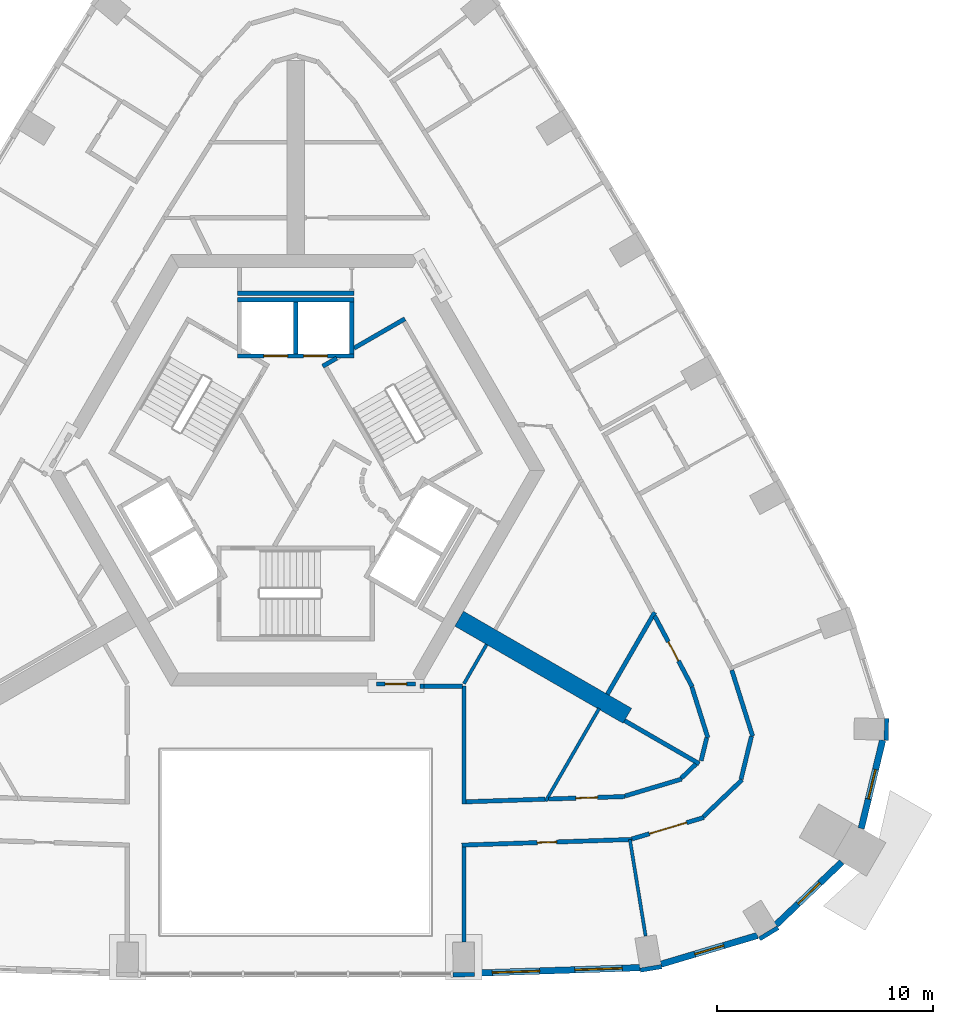
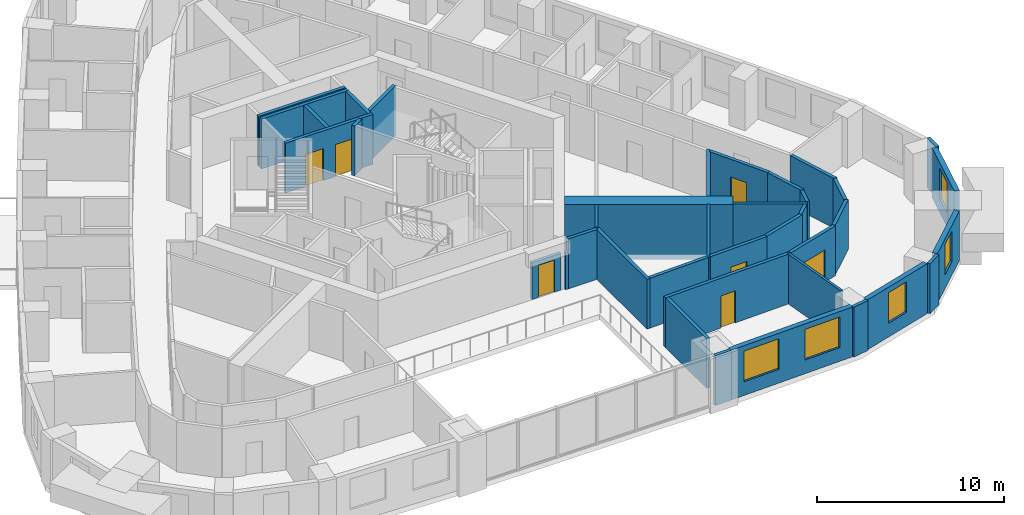
# One storey, part 6 of 13: 38 walls, 7 doors, 5 windows, 12 openings.
"""IFC4 building model written with IfcOpenShell, lengths in metres."""

import ifcopenshell
import ifcopenshell.guid

model = None  # the IFC model being written
_history = None  # IfcOwnerHistory: only IFC2X3 demands one
_inside = {}  # id of a spatial element -> (the spatial element, [elements in it])
_under = {}  # id of a project, library or spatial element -> (it, [spatial elements below it])
_declared = {}  # id of a project -> (the project, [libraries it declares])
_typed = {}  # id of a type object -> (the type object, [elements of that type])
_made_of = {}  # id of a material, layer set ... -> (it, [elements and type objects made of it])


def new_model(schema):
    """Start an empty IFC model of exactly this schema.

    Asked for "IFC4X3", IfcOpenShell would pick the latest addendum, in which some entities
    have other attributes; the version numbers below select the first issue.
    IFC2X3 requires an IfcOwnerHistory on every rooted entity: one is made here for all.
    """
    global model, _history
    if schema == "IFC4X3":
        model = ifcopenshell.file(schema_version=(4, 3, 0, 0))
    else:
        model = ifcopenshell.file(schema=schema)
    _inside.clear()
    _under.clear()
    _declared.clear()
    _typed.clear()
    _made_of.clear()
    _history = None
    if model.schema == "IFC2X3":
        org = make("IfcOrganization", Name="unknown")
        user = make(
            "IfcPersonAndOrganization",
            ThePerson=make("IfcPerson", FamilyName="unknown"),
            TheOrganization=org,
        )
        app = make(
            "IfcApplication",
            ApplicationDeveloper=org,
            Version="unknown",
            ApplicationFullName="unknown",
            ApplicationIdentifier="unknown",
        )
        _history = make(
            "IfcOwnerHistory",
            OwningUser=user,
            OwningApplication=app,
            ChangeAction="ADDED",
            CreationDate=0,
        )
    return model


def make(cls, **values):
    """One entity of the class cls with the attributes given. An attribute that is None is left unset."""
    return model.create_entity(
        cls, **{name: value for name, value in values.items() if value is not None}
    )


def rooted(cls, **values):
    """An entity with a GlobalId (a new one), such as an element, a storey or a relation."""
    return make(cls, GlobalId=ifcopenshell.guid.new(), OwnerHistory=_history, **values)


def si_unit(unit_type, name, prefix=None):
    """IfcSIUnit, for example si_unit("LENGTHUNIT", "METRE", prefix="MILLI")."""
    return make("IfcSIUnit", UnitType=unit_type, Prefix=prefix, Name=name)


def assignment(units):
    """IfcUnitAssignment: the units of a project."""
    return None if units is None else make("IfcUnitAssignment", Units=units)


def point(xyz):
    """IfcCartesianPoint."""
    return None if xyz is None else make("IfcCartesianPoint", Coordinates=xyz)


def direction(xyz):
    """IfcDirection."""
    return None if xyz is None else make("IfcDirection", DirectionRatios=xyz)


def frame(location, z_axis=None, x_axis=None):
    """IfcAxis2Placement3D, a coordinate frame: its origin and axes. An axis left out is left unset."""
    return make(
        "IfcAxis2Placement3D",
        Location=point(location),
        Axis=direction(z_axis),
        RefDirection=direction(x_axis),
    )


def frame_2d(location, x_axis=None):
    """IfcAxis2Placement2D, a coordinate frame in the plane: its origin and x axis."""
    return make(
        "IfcAxis2Placement2D", Location=point(location), RefDirection=direction(x_axis)
    )


def origin():
    """The frame at (0, 0, 0) with its axes left unset."""
    return frame((0.0, 0.0, 0.0))


def place(relative_to, where):
    """IfcLocalPlacement: puts the frame where relative to a parent placement (None: the world)."""
    return make(
        "IfcLocalPlacement", PlacementRelTo=relative_to, RelativePlacement=where
    )


def context(
    kind, dimensions, precision=None, world=None, true_north=None, identifier=None
):
    """IfcGeometricRepresentationContext, for example the 3D "Model" context."""
    return make(
        "IfcGeometricRepresentationContext",
        ContextIdentifier=identifier,
        ContextType=kind,
        CoordinateSpaceDimension=dimensions,
        Precision=precision,
        WorldCoordinateSystem=world,
        TrueNorth=true_north,
    )


def subcontext(parent, identifier, kind, view, scale=None):
    """IfcGeometricRepresentationSubContext, for example "Body" below "Model"."""
    return make(
        "IfcGeometricRepresentationSubContext",
        ContextIdentifier=identifier,
        ContextType=kind,
        ParentContext=parent,
        TargetScale=scale,
        TargetView=view,
    )


def project(units=None, contexts=None):
    """IfcProject with its units and contexts."""
    return rooted(
        "IfcProject",
        Name="project",
        RepresentationContexts=contexts,
        UnitsInContext=assignment(units),
    )


def spatial(cls, under=None, at=None, **own):
    """A site, building, storey or space (cls), placed at a placement, below another one or the project."""
    s = rooted(cls, ObjectPlacement=at, **own)
    if under is not None:
        _under.setdefault(under.id(), (under, []))[1].append(s)
    return s


def profile(cls, at=None, kind="AREA", **sizes):
    """A parametric profile (cls). Its sizes go by their IFC names, for example OverallWidth=200.0."""
    return make(cls, ProfileType=kind, Position=at, **sizes)


def rectangle(**sizes):
    """IfcRectangleProfileDef."""
    return profile("IfcRectangleProfileDef", **sizes)


def extrude(swept, where, along, depth):
    """IfcExtrudedAreaSolid: the profile swept, set in the frame where, extruded along a direction by depth."""
    return make(
        "IfcExtrudedAreaSolid",
        SweptArea=swept,
        Position=where,
        ExtrudedDirection=direction(along),
        Depth=depth,
    )


def shape(context_of_items, identifier, shape_type, items):
    """IfcShapeRepresentation: the items that make up one representation, for example the "Body"."""
    return make(
        "IfcShapeRepresentation",
        ContextOfItems=context_of_items,
        RepresentationIdentifier=identifier,
        RepresentationType=shape_type,
        Items=items,
    )


def material(Name=None, Category=None):
    """IfcMaterial."""
    return make("IfcMaterial", Name=Name, Category=Category)


def layer(
    of_material, thickness, ventilated=None, Name=None, Category=None, Priority=None
):
    """IfcMaterialLayer: one layer of a wall or slab, of a material (None: an air gap)."""
    return make(
        "IfcMaterialLayer",
        Material=of_material,
        LayerThickness=thickness,
        IsVentilated=ventilated,
        Name=Name,
        Category=Category,
        Priority=Priority,
    )


def layer_set(layers, Name=None):
    """IfcMaterialLayerSet."""
    return make("IfcMaterialLayerSet", MaterialLayers=layers, LayerSetName=Name)


def made_of(thing, what):
    """Note that an element or type object is made of a material, layer set ...; save() writes the relation."""
    if what is not None:
        _made_of.setdefault(what.id(), (what, []))[1].append(thing)
    return thing


def type_object(cls, material=None, **own):
    """A type object (cls), such as IfcWallType, which elements share."""
    return made_of(rooted(cls, **own), material)


def element(
    cls,
    number,
    at=None,
    inside=None,
    cuts=None,
    type_object=None,
    material=None,
    context=None,
    identifier="Body",
    shape_type=None,
    held_by="IfcProductDefinitionShape",
    body=None,
    shapes=None,
    **own,
):
    """One element of the class cls, such as IfcWall. Its Tag is "e" and its number.

    at: its placement. inside: the storey or other place that contains it. cuts: it is an
    opening in that element (IfcRelVoidsElement). A single representation is given by context,
    identifier, shape_type and body (its items); several are given by shapes. held_by: the class
    of the entity that holds the representations. save() writes the other relations.
    """
    e = rooted(cls, Tag="e%d" % number, ObjectPlacement=at, **own)
    if body is not None:
        shapes = [shape(context, identifier, shape_type, body)]
    if shapes is not None:
        e.Representation = make(held_by, Representations=shapes)
    if inside is not None:
        _inside.setdefault(inside.id(), (inside, []))[1].append(e)
    if cuts is not None:
        rooted(
            "IfcRelVoidsElement", RelatingBuildingElement=cuts, RelatedOpeningElement=e
        )
    if type_object is not None:
        _typed.setdefault(type_object.id(), (type_object, []))[1].append(e)
    return made_of(e, material)


def fill(opening, filler):
    """IfcRelFillsElement: the door or window that sits in an opening."""
    return rooted(
        "IfcRelFillsElement",
        RelatingOpeningElement=opening,
        RelatedBuildingElement=filler,
    )


def aggregate(whole, parts):
    """IfcRelAggregates: a whole, such as a stair, and the parts it consists of."""
    return rooted("IfcRelAggregates", RelatingObject=whole, RelatedObjects=parts)


def save(model, path):
    """Write the relations noted so far, then the file.

    IfcRelAggregates (storeys below a building ...), IfcRelContainedInSpatialStructure (elements
    in a storey), IfcRelDefinesByType, IfcRelAssociatesMaterial and IfcRelDeclares: one each for
    every whole, place, type object, material and project.
    """
    for whole, parts in _under.values():
        aggregate(whole, parts)
    for where, things in _inside.values():
        rooted(
            "IfcRelContainedInSpatialStructure",
            RelatedElements=things,
            RelatingStructure=where,
        )
    for kind, things in _typed.values():
        rooted("IfcRelDefinesByType", RelatedObjects=things, RelatingType=kind)
    for what, things in _made_of.values():
        rooted("IfcRelAssociatesMaterial", RelatedObjects=things, RelatingMaterial=what)
    for by, libraries in _declared.values():
        rooted("IfcRelDeclares", RelatingContext=by, RelatedDefinitions=libraries)
    model.write(path)


model = new_model("IFC4")

# Units and contexts
model_context = context("Model", 3, precision=1e-05, world=origin(), true_north=direction((0.0, 1.0)))
body_context = subcontext(model_context, "Body", "Model", "MODEL_VIEW")
ifc_project = project(units=[si_unit("LENGTHUNIT", "METRE"), si_unit("AREAUNIT", "SQUARE_METRE"), si_unit("VOLUMEUNIT", "CUBIC_METRE"), si_unit("PLANEANGLEUNIT", "RADIAN"), si_unit("MASSUNIT", "GRAM", prefix="KILO")], contexts=[model_context])

# Site, building, storey
site_placement = place(None, origin())
site = spatial("IfcSite", under=ifc_project, at=site_placement, CompositionType="ELEMENT")
building_placement = place(site_placement, origin())
building = spatial("IfcBuilding", under=site, at=building_placement, Name="Entoto Arch Interchange Tower", CompositionType="ELEMENT")
storey_placement = place(building_placement, frame((0.0, 0.0, 270.199951171875)))
storey = spatial("IfcBuildingStorey", under=building, at=storey_placement, Name="L62", CompositionType="ELEMENT", Elevation=270.199951171875)

# Wall
ifc_material_1 = material(Name="Concrete C40/50", Category="concrete")
ifc_layer_1 = layer(ifc_material_1, 0.800048828125)
ifc_layer_set_1 = layer_set([ifc_layer_1], Name="Concrete C40/50")
wall_type_1 = type_object("IfcWallType", Name="Buttress wall 800 C40/50", PredefinedType="SHEAR", material=ifc_layer_set_1)
wall_1_placement = place(storey_placement, frame((7.577880859375, -4.375, -0.33984375), z_axis=(0.0, 0.0, 1.0), x_axis=(0.866024315419, -0.5000018851, 0.0)))
element("IfcWall", 1, at=wall_1_placement, inside=storey, type_object=wall_type_1, Name="Buttress wall SE L62", PredefinedType="SHEAR", context=body_context, shape_type="SweptSolid", body=[
    extrude(rectangle(XDim=9.0, YDim=0.800048828125, at=frame_2d((4.5, 0.0))), origin(), (0.0, 0.0, 1.0), 3.599853515625),
])

# Wall, opening, door
ifc_material_2 = material(Name="Reinforced concrete C40/50", Category="concrete")
ifc_layer_2 = layer(ifc_material_2, 0.199951171875)
ifc_layer_set_2 = layer_set([ifc_layer_2], Name="Reinforced concrete C40/50")
wall_type_2 = type_object("IfcWallType", Name="CORE GAP INFILL WALL", PredefinedType="PARTITIONING", material=ifc_layer_set_2)
wall_2_placement = place(storey_placement, frame((3.75, -7.39990234375, 0.0), z_axis=(0.0, 0.0, 1.0), x_axis=(1.0, 0.0, 0.0)))
wall_2 = element("IfcWall", 2, at=wall_2_placement, inside=storey, type_object=wall_type_2, Name="wall:L62:gap1", PredefinedType="PARTITIONING", context=body_context, shape_type="SweptSolid", body=[
    extrude(rectangle(XDim=1.7939453125, YDim=0.199951171875, at=frame_2d((0.89697265625, 0.0))), origin(), (0.0, 0.0, 1.0), 2.400146484375),
])
opening_1_placement = place(wall_2_placement, frame((0.39697265625, 0.0, 0.0)))
opening_1 = element("IfcOpeningElement", 3, at=opening_1_placement, cuts=wall_2, Name="Opening L62-D91", PredefinedType="OPENING", context=body_context, shape_type="SweptSolid", body=[
    extrude(rectangle(XDim=1.0, YDim=2.10009765625, at=frame_2d((0.5, 1.050048828125))), frame((0.0, 0.10986328125, 0.0), z_axis=(0.0, -1.0, 0.0), x_axis=(1.0, 0.0, 0.0)), (0.0, 0.0, 1.0), 0.219970703125),
])
ifc_material_3 = material(Name="Fire-rated Steel S235 door and frame", Category="steel")
door_type_1 = type_object("IfcDoorType", Name="DOOR FD-10 1000x2100", OperationType="SINGLE_SWING_LEFT", PredefinedType="DOOR", material=ifc_material_3)
door_1_placement = place(opening_1_placement, origin())
door_1 = element("IfcDoor", 4, at=door_1_placement, inside=storey, type_object=door_type_1, Name="door:L62:gap1", OperationType="SINGLE_SWING_LEFT", OverallHeight=2.10009765625, OverallWidth=1.0, PredefinedType="DOOR", context=body_context, shape_type="SweptSolid", body=[
    extrude(rectangle(XDim=1.0, YDim=2.10009765625, at=frame_2d((0.5, 1.050048828125))), frame((0.0, 0.02490234375, 0.0), z_axis=(0.0, -1.0, 0.0), x_axis=(1.0, 0.0, 0.0)), (0.0, 0.0, 1.0), 0.050048828125),
])
fill(opening_1, door_1)

# Wall, openings, doors
ifc_layer_3 = layer(ifc_material_1, 0.199951171875)
ifc_layer_set_3 = layer_set([ifc_layer_3], Name="Concrete C40/50")
wall_type_3 = type_object("IfcWallType", Name="LIFT SHAFT WALL 200", PredefinedType="STANDARD", material=ifc_layer_set_3)
wall_3_placement = place(storey_placement, frame((2.699951171875, 7.800048828125, 0.0), z_axis=(0.0, 0.0, 1.0), x_axis=(-1.0, 0.0, 0.0)))
wall_3 = element("IfcWall", 5, at=wall_3_placement, inside=storey, type_object=wall_type_3, Name="Shaft wall N1 front", PredefinedType="STANDARD", context=body_context, shape_type="SweptSolid", body=[
    extrude(rectangle(XDim=5.39990234375, YDim=0.199951171875, at=frame_2d((2.699951171875, 0.0))), origin(), (0.0, 0.0, 1.0), 3.260009765625),
])
opening_2_placement = place(wall_3_placement, frame((1.22509765625, 0.0, 0.0)))
opening_2 = element("IfcOpeningElement", 6, at=opening_2_placement, cuts=wall_3, Name="Opening LD-HR1-L62", PredefinedType="OPENING", context=body_context, shape_type="SweptSolid", body=[
    extrude(rectangle(XDim=1.10009765625, YDim=2.10009765625, at=frame_2d((0.550048828125, 1.050048828125))), frame((0.0, 0.10986328125, 0.0), z_axis=(0.0, -1.0, 0.0), x_axis=(1.0, 0.0, 0.0)), (0.0, 0.0, 1.0), 0.219970703125),
])
opening_3_placement = place(wall_3_placement, frame((3.074951171875, 0.0, 0.0)))
opening_3 = element("IfcOpeningElement", 7, at=opening_3_placement, cuts=wall_3, Name="Opening LD-HR2-L62", PredefinedType="OPENING", context=body_context, shape_type="SweptSolid", body=[
    extrude(rectangle(XDim=1.10009765625, YDim=2.10009765625, at=frame_2d((0.550048828125, 1.050048828125))), frame((0.0, 0.10986328125, 0.0), z_axis=(0.0, -1.0, 0.0), x_axis=(1.0, 0.0, 0.0)), (0.0, 0.0, 1.0), 0.219970703125),
])
ifc_material_4 = material(Name="Stainless steel 1.4301 panels", Category="steel")
door_type_2 = type_object("IfcDoorType", Name="LIFT LANDING DOOR LD1 1100x2100", OperationType="SLIDING_TO_LEFT", PredefinedType="DOOR", material=ifc_material_4)
door_2_placement = place(opening_2_placement, origin())
door_2 = element("IfcDoor", 8, at=door_2_placement, inside=storey, type_object=door_type_2, Name="Lift landing door HR1 L62", OperationType="SLIDING_TO_LEFT", OverallHeight=2.10009765625, OverallWidth=1.10009765625, PredefinedType="DOOR", context=body_context, shape_type="SweptSolid", body=[
    extrude(rectangle(XDim=1.10009765625, YDim=2.10009765625, at=frame_2d((0.550048828125, 1.050048828125))), frame((0.0, 0.02490234375, 0.0), z_axis=(0.0, -1.0, 0.0), x_axis=(1.0, 0.0, 0.0)), (0.0, 0.0, 1.0), 0.050048828125),
])
fill(opening_2, door_2)
door_3_placement = place(opening_3_placement, origin())
door_3 = element("IfcDoor", 9, at=door_3_placement, inside=storey, type_object=door_type_2, Name="Lift landing door HR2 L62", OperationType="SLIDING_TO_LEFT", OverallHeight=2.10009765625, OverallWidth=1.10009765625, PredefinedType="DOOR", context=body_context, shape_type="SweptSolid", body=[
    extrude(rectangle(XDim=1.10009765625, YDim=2.10009765625, at=frame_2d((0.550048828125, 1.050048828125))), frame((0.0, 0.02490234375, 0.0), z_axis=(0.0, -1.0, 0.0), x_axis=(1.0, 0.0, 0.0)), (0.0, 0.0, 1.0), 0.050048828125),
])
fill(opening_3, door_3)

# Walls
wall_4_placement = place(storey_placement, frame((2.699951171875, 10.39990234375, 0.0), z_axis=(0.0, 0.0, 1.0), x_axis=(-1.0, 0.0, 0.0)))
element("IfcWall", 10, at=wall_4_placement, inside=storey, type_object=wall_type_3, Name="Shaft wall N1 back", PredefinedType="STANDARD", context=body_context, shape_type="SweptSolid", body=[
    extrude(rectangle(XDim=5.39990234375, YDim=0.199951171875, at=frame_2d((2.699951171875, 0.0))), origin(), (0.0, 0.0, 1.0), 3.260009765625),
])
for number, where, z_axis, x_axis, name in (
    (11, (2.60009765625, 7.89990234375, 0.0), (0.0, 0.0, 1.0), (0.0, 1.0, 0.0), "Shaft wall N1 cross 1"),
    (12, (0.0, 7.89990234375, 0.0), (0.0, 0.0, 1.0), (0.0, 1.0, 0.0), "Shaft wall N1 cross 2"),
):
    element("IfcWall", number, at=place(storey_placement, frame(where, z_axis=z_axis, x_axis=x_axis)), inside=storey, type_object=wall_type_3, Name=name, PredefinedType="STANDARD", context=body_context, shape_type="SweptSolid", body=[
        extrude(rectangle(XDim=2.400146484375, YDim=0.199951171875, at=frame_2d((1.2001953125, 0.0))), origin(), (0.0, 0.0, 1.0), 3.260009765625),
    ])
ifc_material_5 = material(Name="Gypsum board partition on steel studs", Category="steel")
ifc_layer_4 = layer(ifc_material_5, 0.14990234375)
ifc_layer_set_4 = layer_set([ifc_layer_4], Name="Gypsum board partition on steel studs")
wall_type_4 = type_object("IfcWallType", Name="PARTITION 150", PredefinedType="PARTITIONING", material=ifc_layer_set_4)
wall_5_placement = place(storey_placement, frame((7.800048828125, -7.389892578125, 0.0), z_axis=(0.0, 0.0, 1.0), x_axis=(0.499977374825, 0.866038466041, 0.0)))
element("IfcWall", 13, at=wall_5_placement, inside=storey, type_object=wall_type_4, Name="wall:L62:p085", PredefinedType="PARTITIONING", context=body_context, shape_type="SweptSolid", body=[
    extrude(rectangle(XDim=2.10009765625, YDim=0.14990234375, at=frame_2d((1.050048828125, 0.0))), origin(), (0.0, 0.0, 1.0), 3.260009765625),
])
wall_6_placement = place(storey_placement, frame((14.06689453125, -8.535888671875, 0.0), z_axis=(0.0, 0.0, 1.0), x_axis=(-0.500100941679, -0.865967117235, 0.0)))
element("IfcWall", 14, at=wall_6_placement, inside=storey, type_object=wall_type_4, Name="wall:L62:p105", PredefinedType="PARTITIONING", context=body_context, shape_type="SweptSolid", body=[
    extrude(rectangle(XDim=4.95068359375, YDim=0.14990234375, at=frame_2d((2.475341796875, 0.0))), origin(), (0.0, 0.0, 1.0), 3.260009765625),
])
wall_7_placement = place(storey_placement, frame((15.490966796875, -14.610107421875, 0.0), z_axis=(0.0, 0.0, 1.0), x_axis=(0.160928343418, -0.986966092774, 0.0)))
element("IfcWall", 15, at=wall_7_placement, inside=storey, type_object=wall_type_4, Name="wall:L62:p111", PredefinedType="PARTITIONING", context=body_context, shape_type="SweptSolid", body=[
    extrude(rectangle(XDim=4.530029296875, YDim=0.14990234375, at=frame_2d((2.26513671875, 0.0))), origin(), (0.0, 0.0, 1.0), 3.260009765625),
])
ifc_layer_5 = layer(ifc_material_5, 0.199951171875)
ifc_layer_set_5 = layer_set([ifc_layer_5], Name="Gypsum board partition on steel studs")
wall_type_5 = type_object("IfcWallType", Name="PARTITION 200", PredefinedType="PARTITIONING", material=ifc_layer_set_5)
wall_8_placement = place(storey_placement, frame((7.89990234375, -12.861083984375, 0.0), z_axis=(0.0, 0.0, 1.0), x_axis=(0.999446088303, 0.033279371614, 0.0)))
element("IfcWall", 16, at=wall_8_placement, inside=storey, type_object=wall_type_5, Name="wall:L62:p020", PredefinedType="PARTITIONING", context=body_context, shape_type="SweptSolid", body=[
    extrude(rectangle(XDim=3.66796875, YDim=0.199951171875, at=frame_2d((1.833984375, 0.0))), origin(), (0.0, 0.0, 1.0), 3.260009765625),
])

# Wall, opening, door
wall_9_placement = place(storey_placement, frame((11.716064453125, -12.73388671875, 0.0), z_axis=(0.0, 0.0, 1.0), x_axis=(0.999449093602, 0.03318899362, 0.0)))
wall_9 = element("IfcWall", 17, at=wall_9_placement, inside=storey, type_object=wall_type_5, Name="wall:L62:p023", PredefinedType="PARTITIONING", context=body_context, shape_type="SweptSolid", body=[
    extrude(rectangle(XDim=3.552978515625, YDim=0.199951171875, at=frame_2d((1.7763671875, 0.0))), origin(), (0.0, 0.0, 1.0), 3.260009765625),
])
opening_4_placement = place(wall_9_placement, frame((1.27587890625, 0.0, 0.0)))
opening_4 = element("IfcOpeningElement", 18, at=opening_4_placement, cuts=wall_9, Name="Opening L62-D25", PredefinedType="OPENING", context=body_context, shape_type="SweptSolid", body=[
    extrude(rectangle(XDim=1.0, YDim=2.10009765625, at=frame_2d((0.5, 1.050048828125))), frame((0.0, 0.10986328125, 0.0), z_axis=(0.0, -1.0, 0.0), x_axis=(1.0, 0.0, 0.0)), (0.0, 0.0, 1.0), 0.219970703125),
])
ifc_material_6 = material(Name="Timber door leaf in Steel S235 frame", Category="steel")
door_type_3 = type_object("IfcDoorType", Name="DOOR DS-10 1000x2100", OperationType="SINGLE_SWING_LEFT", PredefinedType="DOOR", material=ifc_material_6)
door_4_placement = place(opening_4_placement, origin())
door_4 = element("IfcDoor", 19, at=door_4_placement, inside=storey, type_object=door_type_3, Name="door:L62:25", OperationType="SINGLE_SWING_LEFT", OverallHeight=2.10009765625, OverallWidth=1.0, PredefinedType="DOOR", context=body_context, shape_type="SweptSolid", body=[
    extrude(rectangle(XDim=1.0, YDim=2.10009765625, at=frame_2d((0.5, 1.050048828125))), frame((0.0, 0.02490234375, 0.0), z_axis=(0.0, -1.0, 0.0), x_axis=(1.0, 0.0, 0.0)), (0.0, 0.0, 1.0), 0.050048828125),
])
fill(opening_4, door_4)

# Walls
wall_10_placement = place(storey_placement, frame((15.262939453125, -12.591064453125, 0.0), z_axis=(0.0, 0.0, 1.0), x_axis=(0.958253964342, 0.285918414628, 0.0)))
element("IfcWall", 20, at=wall_10_placement, inside=storey, type_object=wall_type_5, Name="wall:L62:p024", PredefinedType="PARTITIONING", context=body_context, shape_type="SweptSolid", body=[
    extrude(rectangle(XDim=2.74267578125, YDim=0.199951171875, at=frame_2d((1.371337890625, 0.0))), origin(), (0.0, 0.0, 1.0), 3.260009765625),
])
wall_11_placement = place(storey_placement, frame((17.867919921875, -11.76708984375, 0.0), z_axis=(0.0, 0.0, 1.0), x_axis=(0.723402701671, 0.690426340181, 0.0)))
element("IfcWall", 21, at=wall_11_placement, inside=storey, type_object=wall_type_5, Name="wall:L62:p025", PredefinedType="PARTITIONING", context=body_context, shape_type="SweptSolid", body=[
    extrude(rectangle(XDim=0.940185546875, YDim=0.199951171875, at=frame_2d((0.47021484375, 0.0))), origin(), (0.0, 0.0, 1.0), 3.260009765625),
])
wall_12_placement = place(storey_placement, frame((18.791015625, -10.9609375, 0.0), z_axis=(0.0, 0.0, 1.0), x_axis=(0.236572634589, 0.971613806285, 0.0)))
element("IfcWall", 22, at=wall_12_placement, inside=storey, type_object=wall_type_5, Name="wall:L62:p026", PredefinedType="PARTITIONING", context=body_context, shape_type="SweptSolid", body=[
    extrude(rectangle(XDim=1.09912109375, YDim=0.199951171875, at=frame_2d((0.549560546875, 0.0))), origin(), (0.0, 0.0, 1.0), 3.260009765625),
])
wall_13_placement = place(storey_placement, frame((19.10400390625, -9.89111328125, 0.0), z_axis=(0.0, 0.0, 1.0), x_axis=(-0.301325410186, 0.953521366922, 0.0)))
element("IfcWall", 23, at=wall_13_placement, inside=storey, type_object=wall_type_5, Name="wall:L62:p027", PredefinedType="PARTITIONING", context=body_context, shape_type="SweptSolid", body=[
    extrude(rectangle(XDim=2.46875, YDim=0.199951171875, at=frame_2d((1.234375, 0.0))), origin(), (0.0, 0.0, 1.0), 3.260009765625),
])

# Wall, opening, door
wall_14_placement = place(storey_placement, frame((18.376953125, -7.530029296875, 0.0), z_axis=(0.0, 0.0, 1.0), x_axis=(-0.468214048123, 0.883615077474, 0.0)))
wall_14 = element("IfcWall", 24, at=wall_14_placement, inside=storey, type_object=wall_type_5, Name="wall:L62:p028", PredefinedType="PARTITIONING", context=body_context, shape_type="SweptSolid", body=[
    extrude(rectangle(XDim=3.712158203125, YDim=0.199951171875, at=frame_2d((1.85595703125, 0.0))), origin(), (0.0, 0.0, 1.0), 3.260009765625),
])
opening_5_placement = place(wall_14_placement, frame((1.35595703125, 0.0, 0.0)))
opening_5 = element("IfcOpeningElement", 25, at=opening_5_placement, cuts=wall_14, Name="Opening L62-D26", PredefinedType="OPENING", context=body_context, shape_type="SweptSolid", body=[
    extrude(rectangle(XDim=1.0, YDim=2.10009765625, at=frame_2d((0.5, 1.050048828125))), frame((0.0, 0.10986328125, 0.0), z_axis=(0.0, -1.0, 0.0), x_axis=(1.0, 0.0, 0.0)), (0.0, 0.0, 1.0), 0.219970703125),
])
door_5_placement = place(opening_5_placement, origin())
door_5 = element("IfcDoor", 26, at=door_5_placement, inside=storey, type_object=door_type_3, Name="door:L62:26", OperationType="SINGLE_SWING_RIGHT", OverallHeight=2.10009765625, OverallWidth=1.0, PredefinedType="DOOR", context=body_context, shape_type="SweptSolid", body=[
    extrude(rectangle(XDim=1.0, YDim=2.10009765625, at=frame_2d((0.5, 1.050048828125))), frame((0.0, 0.02490234375, 0.0), z_axis=(0.0, -1.0, 0.0), x_axis=(1.0, 0.0, 0.0)), (0.0, 0.0, 1.0), 0.050048828125),
])
fill(opening_5, door_5)

wall_15_placement = place(storey_placement, frame((15.591064453125, -14.60595703125, 0.0), z_axis=(0.0, 0.0, 1.0), x_axis=(-0.999445318732, -0.03330247535, 0.0)))
wall_15 = element("IfcWall", 27, at=wall_15_placement, inside=storey, type_object=wall_type_5, Name="wall:L62:p038", PredefinedType="PARTITIONING", context=body_context, shape_type="SweptSolid", body=[
    extrude(rectangle(XDim=7.8955078125, YDim=0.199951171875, at=frame_2d((3.94775390625, 0.0))), origin(), (0.0, 0.0, 1.0), 3.260009765625),
])
opening_6_placement = place(wall_15_placement, frame((3.498046875, 0.0, 0.0)))
opening_6 = element("IfcOpeningElement", 28, at=opening_6_placement, cuts=wall_15, Name="Opening L62-D19", PredefinedType="OPENING", context=body_context, shape_type="SweptSolid", body=[
    extrude(rectangle(XDim=0.89990234375, YDim=2.10009765625, at=frame_2d((0.449951171875, 1.050048828125))), frame((0.0, 0.10986328125, 0.0), z_axis=(0.0, -1.0, 0.0), x_axis=(1.0, 0.0, 0.0)), (0.0, 0.0, 1.0), 0.219970703125),
])
door_type_4 = type_object("IfcDoorType", Name="DOOR DS-09 900x2100", OperationType="SINGLE_SWING_LEFT", PredefinedType="DOOR", material=ifc_material_6)
door_6_placement = place(opening_6_placement, origin())
door_6 = element("IfcDoor", 29, at=door_6_placement, inside=storey, type_object=door_type_4, Name="door:L62:19", OperationType="SINGLE_SWING_LEFT", OverallHeight=2.10009765625, OverallWidth=0.89990234375, PredefinedType="DOOR", context=body_context, shape_type="SweptSolid", body=[
    extrude(rectangle(XDim=0.89990234375, YDim=2.10009765625, at=frame_2d((0.449951171875, 1.050048828125))), frame((0.0, 0.02490234375, 0.0), z_axis=(0.0, -1.0, 0.0), x_axis=(1.0, 0.0, 0.0)), (0.0, 0.0, 1.0), 0.050048828125),
])
fill(opening_6, door_6)

# Walls
wall_16_placement = place(storey_placement, frame((20.212890625, -6.760986328125, 0.0), z_axis=(0.0, 0.0, 1.0), x_axis=(0.301331608119, -0.953519408271, 0.0)))
element("IfcWall", 30, at=wall_16_placement, inside=storey, type_object=wall_type_5, Name="wall:L62:p039", PredefinedType="PARTITIONING", context=body_context, shape_type="SweptSolid", body=[
    extrude(rectangle(XDim=3.209228515625, YDim=0.199951171875, at=frame_2d((1.6044921875, 0.0))), origin(), (0.0, 0.0, 1.0), 3.260009765625),
])
wall_17_placement = place(storey_placement, frame((21.1259765625, -9.822998046875, 0.0), z_axis=(0.0, 0.0, 1.0), x_axis=(-0.236372924437, -0.971662410816, 0.0)))
element("IfcWall", 31, at=wall_17_placement, inside=storey, type_object=wall_type_5, Name="wall:L62:p040", PredefinedType="PARTITIONING", context=body_context, shape_type="SweptSolid", body=[
    extrude(rectangle(XDim=2.04296875, YDim=0.199951171875, at=frame_2d((1.021484375, 0.0))), origin(), (0.0, 0.0, 1.0), 3.260009765625),
])
wall_18_placement = place(storey_placement, frame((20.69189453125, -11.8369140625, 0.0), z_axis=(0.0, 0.0, 1.0), x_axis=(-0.723668833869, -0.690147389248, 0.0)))
element("IfcWall", 32, at=wall_18_placement, inside=storey, type_object=wall_type_5, Name="wall:L62:p041", PredefinedType="PARTITIONING", context=body_context, shape_type="SweptSolid", body=[
    extrude(rectangle(XDim=2.476318359375, YDim=0.199951171875, at=frame_2d((1.23828125, 0.0))), origin(), (0.0, 0.0, 1.0), 3.260009765625),
])

# Wall, opening, door
wall_19_placement = place(storey_placement, frame((18.924072265625, -13.5869140625, 0.0), z_axis=(0.0, 0.0, 1.0), x_axis=(-0.958378336681, -0.285501250052, 0.0)))
wall_19 = element("IfcWall", 33, at=wall_19_placement, inside=storey, type_object=wall_type_5, Name="wall:L62:p042", PredefinedType="PARTITIONING", context=body_context, shape_type="SweptSolid", body=[
    extrude(rectangle(XDim=3.482177734375, YDim=0.199951171875, at=frame_2d((1.7412109375, 0.0))), origin(), (0.0, 0.0, 1.0), 3.260009765625),
])
opening_7_placement = place(wall_19_placement, frame((0.841064453125, 0.0, 0.0)))
opening_7 = element("IfcOpeningElement", 34, at=opening_7_placement, cuts=wall_19, Name="Opening L62-D20", PredefinedType="OPENING", context=body_context, shape_type="SweptSolid", body=[
    extrude(rectangle(XDim=1.800048828125, YDim=2.10009765625, at=frame_2d((0.89990234375, 1.050048828125))), frame((0.0, 0.10986328125, 0.0), z_axis=(0.0, -1.0, 0.0), x_axis=(1.0, 0.0, 0.0)), (0.0, 0.0, 1.0), 0.219970703125),
])
door_type_5 = type_object("IfcDoorType", Name="DOOR DD-18 1800x2100", OperationType="DOUBLE_DOOR_SINGLE_SWING", PredefinedType="DOOR", material=ifc_material_6)
door_7_placement = place(opening_7_placement, origin())
door_7 = element("IfcDoor", 35, at=door_7_placement, inside=storey, type_object=door_type_5, Name="door:L62:20", OperationType="DOUBLE_DOOR_SINGLE_SWING", OverallHeight=2.10009765625, OverallWidth=1.800048828125, PredefinedType="DOOR", context=body_context, shape_type="SweptSolid", body=[
    extrude(rectangle(XDim=1.800048828125, YDim=2.10009765625, at=frame_2d((0.89990234375, 1.050048828125))), frame((0.0, 0.02490234375, 0.0), z_axis=(0.0, -1.0, 0.0), x_axis=(1.0, 0.0, 0.0)), (0.0, 0.0, 1.0), 0.050048828125),
])
fill(opening_7, door_7)

# Walls
wall_20_placement = place(storey_placement, frame((2.699951171875, 10.699951171875, 0.0), z_axis=(0.0, 0.0, 1.0), x_axis=(-1.0, 0.0, 0.0)))
element("IfcWall", 36, at=wall_20_placement, inside=storey, type_object=wall_type_5, Name="wall:L62:p074", PredefinedType="PARTITIONING", context=body_context, shape_type="SweptSolid", body=[
    extrude(rectangle(XDim=5.39990234375, YDim=0.199951171875, at=frame_2d((2.699951171875, 0.0))), origin(), (0.0, 0.0, 1.0), 3.260009765625),
])
wall_21_placement = place(storey_placement, frame((5.77490234375, -7.4990234375, 0.0), z_axis=(0.0, 0.0, 1.0), x_axis=(1.0, 0.0, 0.0)))
element("IfcWall", 37, at=wall_21_placement, inside=storey, type_object=wall_type_5, Name="wall:L62:p084", PredefinedType="PARTITIONING", context=body_context, shape_type="SweptSolid", body=[
    extrude(rectangle(XDim=0.169189453125, YDim=0.199951171875, at=frame_2d((0.08447265625, 0.0))), origin(), (0.0, 0.0, 1.0), 2.400146484375),
])
wall_22_placement = place(storey_placement, frame((7.800048828125, -7.4990234375, 0.0), z_axis=(0.0, 0.0, 1.0), x_axis=(0.0, -1.0, 0.0)))
element("IfcWall", 38, at=wall_22_placement, inside=storey, type_object=wall_type_5, Name="wall:L62:p098", PredefinedType="PARTITIONING", context=body_context, shape_type="SweptSolid", body=[
    extrude(rectangle(XDim=5.465087890625, YDim=0.199951171875, at=frame_2d((2.732421875, 0.0))), origin(), (0.0, 0.0, 1.0), 3.260009765625),
])
wall_23_placement = place(storey_placement, frame((7.800048828125, -14.966064453125, 0.0), z_axis=(0.0, 0.0, 1.0), x_axis=(0.0, -1.0, 0.0)))
element("IfcWall", 39, at=wall_23_placement, inside=storey, type_object=wall_type_5, Name="wall:L62:p102", PredefinedType="PARTITIONING", context=body_context, shape_type="SweptSolid", body=[
    extrude(rectangle(XDim=4.383056640625, YDim=0.199951171875, at=frame_2d((2.19140625, 0.0))), origin(), (0.0, 0.0, 1.0), 3.260009765625),
])
wall_24_placement = place(storey_placement, frame((16.64208984375, -4.074951171875, 0.0), z_axis=(0.0, 0.0, 1.0), x_axis=(-0.49980426207, -0.866138383641, 0.0)))
element("IfcWall", 40, at=wall_24_placement, inside=storey, type_object=wall_type_5, Name="wall:L62:p106", PredefinedType="PARTITIONING", context=body_context, shape_type="SweptSolid", body=[
    extrude(rectangle(XDim=4.391845703125, YDim=0.199951171875, at=frame_2d((2.19580078125, 0.0))), origin(), (0.0, 0.0, 1.0), 3.260009765625),
])
wall_25_placement = place(storey_placement, frame((15.242919921875, -9.09912109375, 0.0), z_axis=(0.0, 0.0, 1.0), x_axis=(0.866026010844, -0.49999894854, 0.0)))
element("IfcWall", 41, at=wall_25_placement, inside=storey, type_object=wall_type_5, Name="wall:L62:p107", PredefinedType="PARTITIONING", context=body_context, shape_type="SweptSolid", body=[
    extrude(rectangle(XDim=4.0, YDim=0.199951171875, at=frame_2d((2.0, 0.0))), origin(), (0.0, 0.0, 1.0), 3.260009765625),
])
wall_26_placement = place(storey_placement, frame((5.944091796875, -7.4990234375, 0.0), z_axis=(0.0, 0.0, 1.0), x_axis=(1.0, 0.0, 0.0)))
element("IfcWall", 42, at=wall_26_placement, inside=storey, type_object=wall_type_5, Name="wall:L62:p084", PredefinedType="PARTITIONING", context=body_context, shape_type="SweptSolid", body=[
    extrude(rectangle(XDim=1.79296875, YDim=0.199951171875, at=frame_2d((0.896484375, 0.0))), origin(), (0.0, 0.0, 1.0), 3.260009765625),
])
ifc_layer_6 = layer(ifc_material_1, 0.199951171875)
ifc_layer_set_6 = layer_set([ifc_layer_6], Name="Concrete C40/50")
wall_type_6 = type_object("IfcWallType", Name="STAIR ENCLOSURE WALL 200", PredefinedType="STANDARD", material=ifc_layer_set_6)
wall_27_placement = place(storey_placement, frame((2.699951171875, 8.157958984375, 0.0), z_axis=(0.0, 0.0, 1.0), x_axis=(0.86611865017, 0.499838457731, 0.0)))
element("IfcWall", 43, at=wall_27_placement, inside=storey, type_object=wall_type_6, Name="Stair wall ST-NE far", PredefinedType="STANDARD", context=body_context, shape_type="SweptSolid", body=[
    extrude(rectangle(XDim=2.73291015625, YDim=0.199951171875, at=frame_2d((1.366455078125, 0.0))), origin(), (0.0, 0.0, 1.0), 3.260009765625),
])
wall_28_placement = place(storey_placement, frame((1.256103515625, 7.323974609375, 0.0), z_axis=(0.0, 0.0, 1.0), x_axis=(0.865915093549, 0.500191014278, 0.0)))
element("IfcWall", 44, at=wall_28_placement, inside=storey, type_object=wall_type_6, Name="Stair wall ST-NE far return", PredefinedType="STANDARD", context=body_context, shape_type="SweptSolid", body=[
    extrude(rectangle(XDim=0.751708984375, YDim=0.199951171875, at=frame_2d((0.3759765625, 0.0))), origin(), (0.0, 0.0, 1.0), 3.260009765625),
])

# Wall, openings, windows
ifc_material_7 = material(Name="Welded tuff (ignimbrite) cladding, warm buff", Category="masonry")
ifc_layer_7 = layer(ifc_material_7, 0.300048828125)
ifc_layer_set_7 = layer_set([ifc_layer_7], Name="Welded tuff (ignimbrite) cladding, warm buff")
wall_type_7 = type_object("IfcWallType", Name="STONE INFILL WALL 300", PredefinedType="STANDARD", material=ifc_layer_set_7)
wall_29_placement = place(storey_placement, frame((8.2958984375, -20.802001953125, 0.0), z_axis=(0.0, 0.0, 1.0), x_axis=(0.999450376985, 0.033150323459, 0.0)))
wall_29 = element("IfcWall", 45, at=wall_29_placement, inside=storey, type_object=wall_type_7, Name="Facade wall S-03 L62", PredefinedType="STANDARD", context=body_context, shape_type="SweptSolid", body=[
    extrude(rectangle(XDim=7.6591796875, YDim=0.300048828125, at=frame_2d((3.82958984375, 0.0))), origin(), (0.0, 0.0, 1.0), 3.260009765625),
])
opening_8_placement = place(wall_29_placement, frame((0.81494140625, 0.0, 0.89990234375)))
opening_8 = element("IfcOpeningElement", 46, at=opening_8_placement, cuts=wall_29, Name="Opening WH-A", PredefinedType="OPENING", context=body_context, shape_type="SweptSolid", body=[
    extrude(rectangle(XDim=2.199951171875, YDim=2.0, at=frame_2d((1.10009765625, 1.0))), frame((0.0, 0.16015625, 0.0), z_axis=(0.0, -1.0, 0.0), x_axis=(1.0, 0.0, 0.0)), (0.0, 0.0, 1.0), 0.320068359375),
])
opening_9_placement = place(wall_29_placement, frame((4.64404296875, 0.0, 0.89990234375)))
opening_9 = element("IfcOpeningElement", 47, at=opening_9_placement, cuts=wall_29, Name="Opening WH-A", PredefinedType="OPENING", context=body_context, shape_type="SweptSolid", body=[
    extrude(rectangle(XDim=2.199951171875, YDim=2.0, at=frame_2d((1.10009765625, 1.0))), frame((0.0, 0.16015625, 0.0), z_axis=(0.0, -1.0, 0.0), x_axis=(1.0, 0.0, 0.0)), (0.0, 0.0, 1.0), 0.320068359375),
])
ifc_material_8 = material(Name="Clear glass, low-e double glazed", Category="glass")
window_type_1 = type_object("IfcWindowType", Name="WINDOW WH-A 2200x2000", PartitioningType="DOUBLE_PANEL_VERTICAL", PredefinedType="WINDOW", material=ifc_material_8)
window_1_placement = place(opening_8_placement, origin())
window_1 = element("IfcWindow", 48, at=window_1_placement, inside=storey, type_object=window_type_1, Name="Window WH-A S-03 L62", OverallHeight=2.0, OverallWidth=2.199951171875, PartitioningType="SINGLE_PANEL", PredefinedType="WINDOW", context=body_context, shape_type="SweptSolid", body=[
    extrude(rectangle(XDim=2.199951171875, YDim=2.0, at=frame_2d((1.10009765625, 1.0))), frame((0.0, 0.030029296875, 0.0), z_axis=(0.0, -1.0, 0.0), x_axis=(1.0, 0.0, 0.0)), (0.0, 0.0, 1.0), 0.06005859375),
])
fill(opening_8, window_1)
window_2_placement = place(opening_9_placement, origin())
window_2 = element("IfcWindow", 49, at=window_2_placement, inside=storey, type_object=window_type_1, Name="Window WH-A S-03 L62", OverallHeight=2.0, OverallWidth=2.199951171875, PartitioningType="SINGLE_PANEL", PredefinedType="WINDOW", context=body_context, shape_type="SweptSolid", body=[
    extrude(rectangle(XDim=2.199951171875, YDim=2.0, at=frame_2d((1.10009765625, 1.0))), frame((0.0, 0.030029296875, 0.0), z_axis=(0.0, -1.0, 0.0), x_axis=(1.0, 0.0, 0.0)), (0.0, 0.0, 1.0), 0.06005859375),
])
fill(opening_9, window_2)

# Wall, opening, window
wall_30_placement = place(storey_placement, frame((16.93701171875, -20.386962890625, 0.0), z_axis=(0.0, 0.0, 1.0), x_axis=(0.958361270465, 0.285558532131, 0.0)))
wall_30 = element("IfcWall", 50, at=wall_30_placement, inside=storey, type_object=wall_type_7, Name="Facade wall SE-01 L62", PredefinedType="STANDARD", context=body_context, shape_type="SweptSolid", body=[
    extrude(rectangle(XDim=4.65771484375, YDim=0.300048828125, at=frame_2d((2.328857421875, 0.0))), origin(), (0.0, 0.0, 1.0), 3.260009765625),
])
opening_10_placement = place(wall_30_placement, frame((1.62890625, 0.0, 0.89990234375)))
opening_10 = element("IfcOpeningElement", 51, at=opening_10_placement, cuts=wall_30, Name="Opening WH-B", PredefinedType="OPENING", context=body_context, shape_type="SweptSolid", body=[
    extrude(rectangle(XDim=1.39990234375, YDim=2.0, at=frame_2d((0.699951171875, 1.0))), frame((0.0, 0.16015625, 0.0), z_axis=(0.0, -1.0, 0.0), x_axis=(1.0, 0.0, 0.0)), (0.0, 0.0, 1.0), 0.320068359375),
])
window_type_2 = type_object("IfcWindowType", Name="WINDOW WH-B 1400x2000", PartitioningType="DOUBLE_PANEL_VERTICAL", PredefinedType="WINDOW", material=ifc_material_8)
window_3_placement = place(opening_10_placement, origin())
window_3 = element("IfcWindow", 52, at=window_3_placement, inside=storey, type_object=window_type_2, Name="Window WH-B SE-01 L62", OverallHeight=2.0, OverallWidth=1.39990234375, PartitioningType="SINGLE_PANEL", PredefinedType="WINDOW", context=body_context, shape_type="SweptSolid", body=[
    extrude(rectangle(XDim=1.39990234375, YDim=2.0, at=frame_2d((0.699951171875, 1.0))), frame((0.0, 0.030029296875, 0.0), z_axis=(0.0, -1.0, 0.0), x_axis=(1.0, 0.0, 0.0)), (0.0, 0.0, 1.0), 0.06005859375),
])
fill(opening_10, window_3)

wall_31_placement = place(storey_placement, frame((22.26611328125, -18.55908203125, 0.0), z_axis=(0.0, 0.0, 1.0), x_axis=(0.723526681061, 0.690296415892, 0.0)))
wall_31 = element("IfcWall", 53, at=wall_31_placement, inside=storey, type_object=wall_type_7, Name="Facade wall SE-02 L62", PredefinedType="STANDARD", context=body_context, shape_type="SweptSolid", body=[
    extrude(rectangle(XDim=4.209716796875, YDim=0.300048828125, at=frame_2d((2.10498046875, 0.0))), origin(), (0.0, 0.0, 1.0), 3.260009765625),
])
opening_11_placement = place(wall_31_placement, frame((1.405029296875, 0.0, 0.89990234375)))
opening_11 = element("IfcOpeningElement", 54, at=opening_11_placement, cuts=wall_31, Name="Opening WH-B", PredefinedType="OPENING", context=body_context, shape_type="SweptSolid", body=[
    extrude(rectangle(XDim=1.39990234375, YDim=2.0, at=frame_2d((0.699951171875, 1.0))), frame((0.0, 0.16015625, 0.0), z_axis=(0.0, -1.0, 0.0), x_axis=(1.0, 0.0, 0.0)), (0.0, 0.0, 1.0), 0.320068359375),
])
window_4_placement = place(opening_11_placement, origin())
window_4 = element("IfcWindow", 55, at=window_4_placement, inside=storey, type_object=window_type_2, Name="Window WH-B SE-02 L62", OverallHeight=2.0, OverallWidth=1.39990234375, PartitioningType="SINGLE_PANEL", PredefinedType="WINDOW", context=body_context, shape_type="SweptSolid", body=[
    extrude(rectangle(XDim=1.39990234375, YDim=2.0, at=frame_2d((0.699951171875, 1.0))), frame((0.0, 0.030029296875, 0.0), z_axis=(0.0, -1.0, 0.0), x_axis=(1.0, 0.0, 0.0)), (0.0, 0.0, 1.0), 0.06005859375),
])
fill(opening_11, window_4)

wall_32_placement = place(storey_placement, frame((26.2109375, -14.094970703125, 0.0), z_axis=(0.0, 0.0, 1.0), x_axis=(0.236077883519, 0.97173413695, 0.0)))
wall_32 = element("IfcWall", 56, at=wall_32_placement, inside=storey, type_object=wall_type_7, Name="Facade wall SE-03 L62", PredefinedType="STANDARD", context=body_context, shape_type="SweptSolid", body=[
    extrude(rectangle(XDim=4.211181640625, YDim=0.300048828125, at=frame_2d((2.10546875, 0.0))), origin(), (0.0, 0.0, 1.0), 3.260009765625),
])
opening_12_placement = place(wall_32_placement, frame((1.405029296875, 0.0, 0.89990234375)))
opening_12 = element("IfcOpeningElement", 57, at=opening_12_placement, cuts=wall_32, Name="Opening WH-B", PredefinedType="OPENING", context=body_context, shape_type="SweptSolid", body=[
    extrude(rectangle(XDim=1.39990234375, YDim=2.0, at=frame_2d((0.699951171875, 1.0))), frame((0.0, 0.16015625, 0.0), z_axis=(0.0, -1.0, 0.0), x_axis=(1.0, 0.0, 0.0)), (0.0, 0.0, 1.0), 0.320068359375),
])
window_5_placement = place(opening_12_placement, origin())
window_5 = element("IfcWindow", 58, at=window_5_placement, inside=storey, type_object=window_type_2, Name="Window WH-B SE-03 L62", OverallHeight=2.0, OverallWidth=1.39990234375, PartitioningType="SINGLE_PANEL", PredefinedType="WINDOW", context=body_context, shape_type="SweptSolid", body=[
    extrude(rectangle(XDim=1.39990234375, YDim=2.0, at=frame_2d((0.699951171875, 1.0))), frame((0.0, 0.030029296875, 0.0), z_axis=(0.0, -1.0, 0.0), x_axis=(1.0, 0.0, 0.0)), (0.0, 0.0, 1.0), 0.06005859375),
])
fill(opening_12, window_5)

# Walls
ifc_layer_8 = layer(ifc_material_7, 0.199951171875)
ifc_layer_set_8 = layer_set([ifc_layer_8], Name="Welded tuff (ignimbrite) cladding, warm buff")
wall_type_8 = type_object("IfcWallType", Name="STONE PIER CLADDING 200", PredefinedType="STANDARD", material=ifc_layer_set_8)
for number, where, z_axis, x_axis, name in (
    (59, (7.298095703125, -20.8779296875, 0.0), (0.0, 0.0, 1.0), (0.999841221248, 0.017819435828, 0.0), "Stone pier S03 L62"),
    (60, (15.969970703125, -20.6650390625, 0.0), (0.0, 0.0, 1.0), (0.985961725342, 0.166971483074, 0.0), "Stone pier S04 L62"),
):
    element("IfcWall", number, at=place(storey_placement, frame(where, z_axis=z_axis, x_axis=x_axis)), inside=storey, type_object=wall_type_8, Name=name, PredefinedType="STANDARD", context=body_context, shape_type="SweptSolid", body=[
        extrude(rectangle(XDim=1.000244140625, YDim=0.199951171875, at=frame_2d((0.5, 0.0))), origin(), (0.0, 0.0, 1.0), 3.260009765625),
    ])
wall_33_placement = place(storey_placement, frame((21.498046875, -19.217041015625, 0.0), z_axis=(0.0, 0.0, 1.0), x_axis=(0.853679739553, 0.520798331677, 0.0)))
element("IfcWall", 61, at=wall_33_placement, inside=storey, type_object=wall_type_8, Name="Stone pier SE1 L62", PredefinedType="STANDARD", context=body_context, shape_type="SweptSolid", body=[
    extrude(rectangle(XDim=1.00048828125, YDim=0.199951171875, at=frame_2d((0.500244140625, 0.0))), origin(), (0.0, 0.0, 1.0), 3.260009765625),
])
wall_34_placement = place(storey_placement, frame((27.366943359375, -10.008056640625, 0.0), z_axis=(0.0, 0.0, 1.0), x_axis=(0.024186470916, 0.999707464524, 0.0)))
element("IfcWall", 62, at=wall_34_placement, inside=storey, type_object=wall_type_8, Name="Stone pier SE3 L62", PredefinedType="STANDARD", context=body_context, shape_type="SweptSolid", body=[
    extrude(rectangle(XDim=0.999267578125, YDim=0.199951171875, at=frame_2d((0.49951171875, 0.0))), origin(), (0.0, 0.0, 1.0), 3.260009765625),
])

save(model, "model.ifc")
